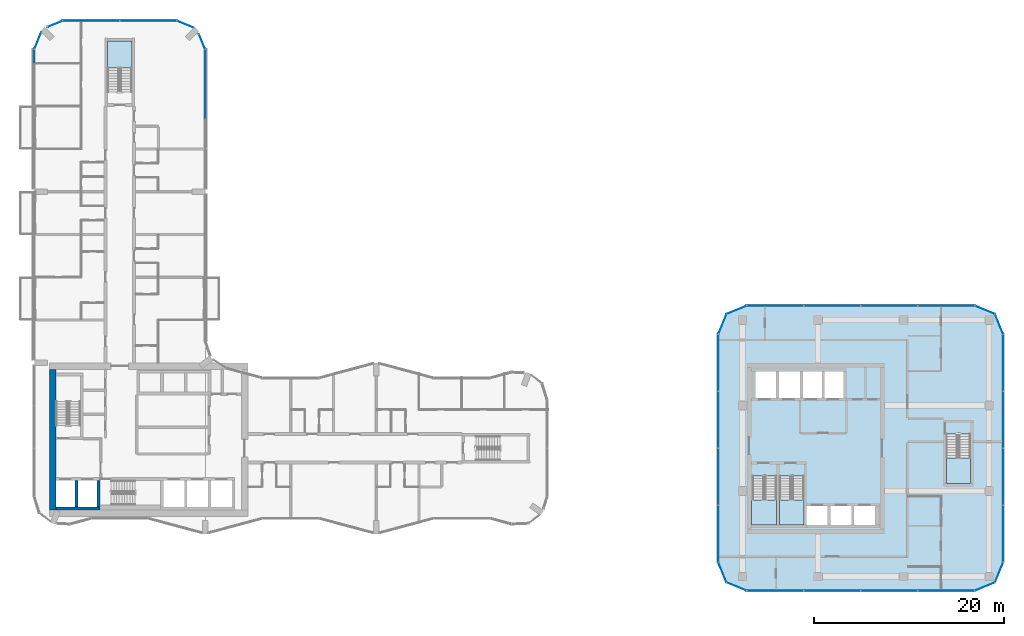
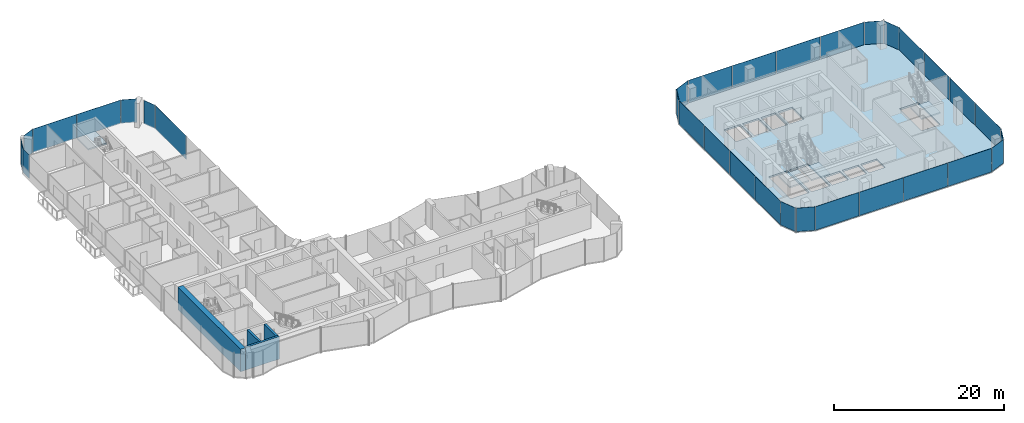
# One storey, part 12 of 22: 32 plates, 5 slabs, 4 walls, 23 elements without a shape of their own.
"""IFC4 building model written with IfcOpenShell, lengths in metres."""

from ifc_helpers import new_model, si_unit, direction, frame, frame_2d, origin, origin_2d, place, context, subcontext, project, spatial, polyline, rectangle, outline, extrude, material, layer, layer_set, type_object, element, aggregate, save


model = new_model("IFC4")

# Units and contexts
model_context = context("Model", 3, precision=1e-05, world=origin(), true_north=direction((0.0, 1.0)))
body_context = subcontext(model_context, "Body", "Model", "MODEL_VIEW")
ifc_project = project(units=[si_unit("LENGTHUNIT", "METRE"), si_unit("AREAUNIT", "SQUARE_METRE"), si_unit("VOLUMEUNIT", "CUBIC_METRE"), si_unit("PLANEANGLEUNIT", "RADIAN"), si_unit("MASSUNIT", "GRAM", prefix="KILO")], contexts=[model_context])

# Site, building, storey
site_placement = place(None, origin())
site = spatial("IfcSite", under=ifc_project, at=site_placement, CompositionType="ELEMENT")
building_placement = place(site_placement, origin())
building = spatial("IfcBuilding", under=site, at=building_placement, Name="Plateau Cross Towers", CompositionType="ELEMENT")
storey_placement = place(building_placement, frame((0.0, 0.0, 61.800048828125)))
storey = spatial("IfcBuildingStorey", under=building, at=storey_placement, Name="L15", CompositionType="ELEMENT", Elevation=61.800048828125)

# Curtain wall, plates
ifc_material_1 = material(Name="Dark low-iron glass", Category="glass")
ifc_layer_1 = layer(ifc_material_1, 0.239990234375)
ifc_layer_set_1 = layer_set([ifc_layer_1], Name="Dark low-iron glass")
curtain_wall_type_1 = type_object("IfcCurtainWallType", Name="Curtain wall office unitised CW-F", PredefinedType="NOTDEFINED", material=ifc_layer_set_1)
curtain_wall_1_placement = place(storey_placement, origin())
curtain_wall_1 = element("IfcCurtainWall", 1, at=curtain_wall_1_placement, inside=storey, type_object=curtain_wall_type_1, Name="ENV/B/L15/B750_-60", PredefinedType="NOTDEFINED")
ifc_layer_2 = layer(ifc_material_1, 0.028076171875)
ifc_layer_set_2 = layer_set([ifc_layer_2], Name="Dark low-iron glass")
plate_type_1 = type_object("IfcPlateType", Name="Glass panel 28 office unitised", PredefinedType="CURTAIN_PANEL", material=ifc_layer_set_2)
plate_1_placement = place(storey_placement, frame((78.0, -6.0, -0.1298828125), z_axis=(0.0, 0.0, 1.0), x_axis=(1.0, 0.0, 0.0)))
plate_1 = element("IfcPlate", 2, at=plate_1_placement, type_object=plate_type_1, Name="CW-F panel 1", PredefinedType="CURTAIN_PANEL", context=body_context, shape_type="SweptSolid", body=[
    extrude(rectangle(XDim=5.93994140625, YDim=0.028076171875, at=origin_2d()), origin(), (0.0, 0.0, 1.0), 3.3798828125),
])
plate_2_placement = place(storey_placement, frame((84.0, -6.0, -0.1298828125), z_axis=(0.0, 0.0, 1.0), x_axis=(1.0, 0.0, 0.0)))
plate_2 = element("IfcPlate", 3, at=plate_2_placement, type_object=plate_type_1, Name="CW-F panel 2", PredefinedType="CURTAIN_PANEL", context=body_context, shape_type="SweptSolid", body=[
    extrude(rectangle(XDim=5.93994140625, YDim=0.028076171875, at=origin_2d()), origin(), (0.0, 0.0, 1.0), 3.3798828125),
])
plate_3_placement = place(storey_placement, frame((90.0, -6.0, -0.1298828125), z_axis=(0.0, 0.0, 1.0), x_axis=(1.0, 0.0, 0.0)))
plate_3 = element("IfcPlate", 4, at=plate_3_placement, type_object=plate_type_1, Name="CW-F panel 3", PredefinedType="CURTAIN_PANEL", context=body_context, shape_type="SweptSolid", body=[
    extrude(rectangle(XDim=5.93994140625, YDim=0.028076171875, at=origin_2d()), origin(), (0.0, 0.0, 1.0), 3.3798828125),
])
plate_4_placement = place(storey_placement, frame((96.0, -6.0, -0.1298828125), z_axis=(0.0, 0.0, 1.0), x_axis=(1.0, 0.0, 0.0)))
plate_4 = element("IfcPlate", 5, at=plate_4_placement, type_object=plate_type_1, Name="CW-F panel 4", PredefinedType="CURTAIN_PANEL", context=body_context, shape_type="SweptSolid", body=[
    extrude(rectangle(XDim=5.93994140625, YDim=0.028076171875, at=origin_2d()), origin(), (0.0, 0.0, 1.0), 3.3798828125),
])
aggregate(curtain_wall_1, [plate_1, plate_2, plate_3, plate_4])

# Curtain wall, plate
curtain_wall_2_placement = place(storey_placement, origin())
curtain_wall_2 = element("IfcCurtainWall", 6, at=curtain_wall_2_placement, inside=storey, type_object=curtain_wall_type_1, Name="ENV/B/L15/B990_-60", PredefinedType="NOTDEFINED")
plate_5_placement = place(storey_placement, frame((100.060546875, -5.560546875, -0.1298828125), z_axis=(0.0, 0.0, 1.0), x_axis=(0.923879457699, 0.382683612978, 0.0)))
plate_5 = element("IfcPlate", 7, at=plate_5_placement, type_object=plate_type_1, Name="CW-F panel 1", PredefinedType="CURTAIN_PANEL", context=body_context, shape_type="SweptSolid", body=[
    extrude(rectangle(XDim=2.236083984375, YDim=0.028076171875, at=origin_2d()), origin(), (0.0, 0.0, 1.0), 3.3798828125),
])
aggregate(curtain_wall_2, [plate_5])

curtain_wall_3_placement = place(storey_placement, origin())
curtain_wall_3 = element("IfcCurtainWall", 8, at=curtain_wall_3_placement, inside=storey, type_object=curtain_wall_type_1, Name="ENV/B/L15/B1011_-51", PredefinedType="NOTDEFINED")
plate_6_placement = place(storey_placement, frame((101.560546875, -4.060546875, -0.1298828125), z_axis=(0.0, 0.0, 1.0), x_axis=(0.382683612978, 0.923879457699, 0.0)))
plate_6 = element("IfcPlate", 9, at=plate_6_placement, type_object=plate_type_1, Name="CW-F panel 1", PredefinedType="CURTAIN_PANEL", context=body_context, shape_type="SweptSolid", body=[
    extrude(rectangle(XDim=2.236083984375, YDim=0.028076171875, at=origin_2d()), origin(), (0.0, 0.0, 1.0), 3.3798828125),
])
aggregate(curtain_wall_3, [plate_6])

# Curtain wall, plates
curtain_wall_4_placement = place(storey_placement, origin())
curtain_wall_4 = element("IfcCurtainWall", 10, at=curtain_wall_4_placement, inside=storey, type_object=curtain_wall_type_1, Name="ENV/B/L15/B1020_-30", PredefinedType="NOTDEFINED")
plate_7_placement = place(storey_placement, frame((102.0, 0.0, -0.1298828125), z_axis=(0.0, 0.0, 1.0), x_axis=(0.0, 1.0, 0.0)))
plate_7 = element("IfcPlate", 11, at=plate_7_placement, type_object=plate_type_1, Name="CW-F panel 1", PredefinedType="CURTAIN_PANEL", context=body_context, shape_type="SweptSolid", body=[
    extrude(rectangle(XDim=5.93994140625, YDim=0.028076171875, at=origin_2d()), origin(), (0.0, 0.0, 1.0), 3.3798828125),
])
plate_8_placement = place(storey_placement, frame((102.0, 6.0, -0.1298828125), z_axis=(0.0, 0.0, 1.0), x_axis=(0.0, 1.0, 0.0)))
plate_8 = element("IfcPlate", 12, at=plate_8_placement, type_object=plate_type_1, Name="CW-F panel 2", PredefinedType="CURTAIN_PANEL", context=body_context, shape_type="SweptSolid", body=[
    extrude(rectangle(XDim=5.93994140625, YDim=0.028076171875, at=origin_2d()), origin(), (0.0, 0.0, 1.0), 3.3798828125),
])
plate_9_placement = place(storey_placement, frame((102.0, 12.0, -0.1298828125), z_axis=(0.0, 0.0, 1.0), x_axis=(0.0, 1.0, 0.0)))
plate_9 = element("IfcPlate", 13, at=plate_9_placement, type_object=plate_type_1, Name="CW-F panel 3", PredefinedType="CURTAIN_PANEL", context=body_context, shape_type="SweptSolid", body=[
    extrude(rectangle(XDim=5.93994140625, YDim=0.028076171875, at=origin_2d()), origin(), (0.0, 0.0, 1.0), 3.3798828125),
])
plate_10_placement = place(storey_placement, frame((102.0, 18.0, -0.1298828125), z_axis=(0.0, 0.0, 1.0), x_axis=(0.0, 1.0, 0.0)))
plate_10 = element("IfcPlate", 14, at=plate_10_placement, type_object=plate_type_1, Name="CW-F panel 4", PredefinedType="CURTAIN_PANEL", context=body_context, shape_type="SweptSolid", body=[
    extrude(rectangle(XDim=5.93994140625, YDim=0.028076171875, at=origin_2d()), origin(), (0.0, 0.0, 1.0), 3.3798828125),
])
aggregate(curtain_wall_4, [plate_7, plate_8, plate_9, plate_10])

# Curtain wall, plate
curtain_wall_5_placement = place(storey_placement, origin())
curtain_wall_5 = element("IfcCurtainWall", 15, at=curtain_wall_5_placement, inside=storey, type_object=curtain_wall_type_1, Name="ENV/B/L15/B1020_210", PredefinedType="NOTDEFINED")
plate_11_placement = place(storey_placement, frame((101.560546875, 22.060546875, -0.1298828125), z_axis=(0.0, 0.0, 1.0), x_axis=(-0.382683612978, 0.923879457699, 0.0)))
plate_11 = element("IfcPlate", 16, at=plate_11_placement, type_object=plate_type_1, Name="CW-F panel 1", PredefinedType="CURTAIN_PANEL", context=body_context, shape_type="SweptSolid", body=[
    extrude(rectangle(XDim=2.236083984375, YDim=0.028076171875, at=origin_2d()), origin(), (0.0, 0.0, 1.0), 3.3798828125),
])
aggregate(curtain_wall_5, [plate_11])

curtain_wall_6_placement = place(storey_placement, origin())
curtain_wall_6 = element("IfcCurtainWall", 17, at=curtain_wall_6_placement, inside=storey, type_object=curtain_wall_type_1, Name="ENV/B/L15/B1011_231", PredefinedType="NOTDEFINED")
plate_12_placement = place(storey_placement, frame((100.060546875, 23.560546875, -0.1298828125), z_axis=(0.0, 0.0, 1.0), x_axis=(-0.923879457699, 0.382683612978, 0.0)))
plate_12 = element("IfcPlate", 18, at=plate_12_placement, type_object=plate_type_1, Name="CW-F panel 1", PredefinedType="CURTAIN_PANEL", context=body_context, shape_type="SweptSolid", body=[
    extrude(rectangle(XDim=2.236083984375, YDim=0.028076171875, at=origin_2d()), origin(), (0.0, 0.0, 1.0), 3.3798828125),
])
aggregate(curtain_wall_6, [plate_12])

# Curtain wall, plates
curtain_wall_7_placement = place(storey_placement, origin())
curtain_wall_7 = element("IfcCurtainWall", 19, at=curtain_wall_7_placement, inside=storey, type_object=curtain_wall_type_1, Name="ENV/B/L15/B990_240", PredefinedType="NOTDEFINED")
plate_13_placement = place(storey_placement, frame((96.0, 24.0, -0.1298828125), z_axis=(0.0, 0.0, 1.0), x_axis=(-1.0, 0.0, 0.0)))
plate_13 = element("IfcPlate", 20, at=plate_13_placement, type_object=plate_type_1, Name="CW-F panel 1", PredefinedType="CURTAIN_PANEL", context=body_context, shape_type="SweptSolid", body=[
    extrude(rectangle(XDim=5.93994140625, YDim=0.028076171875, at=origin_2d()), origin(), (0.0, 0.0, 1.0), 3.3798828125),
])
plate_14_placement = place(storey_placement, frame((90.0, 24.0, -0.1298828125), z_axis=(0.0, 0.0, 1.0), x_axis=(-1.0, 0.0, 0.0)))
plate_14 = element("IfcPlate", 21, at=plate_14_placement, type_object=plate_type_1, Name="CW-F panel 2", PredefinedType="CURTAIN_PANEL", context=body_context, shape_type="SweptSolid", body=[
    extrude(rectangle(XDim=5.93994140625, YDim=0.028076171875, at=origin_2d()), origin(), (0.0, 0.0, 1.0), 3.3798828125),
])
plate_15_placement = place(storey_placement, frame((84.0, 24.0, -0.1298828125), z_axis=(0.0, 0.0, 1.0), x_axis=(-1.0, 0.0, 0.0)))
plate_15 = element("IfcPlate", 22, at=plate_15_placement, type_object=plate_type_1, Name="CW-F panel 3", PredefinedType="CURTAIN_PANEL", context=body_context, shape_type="SweptSolid", body=[
    extrude(rectangle(XDim=5.93994140625, YDim=0.028076171875, at=origin_2d()), origin(), (0.0, 0.0, 1.0), 3.3798828125),
])
plate_16_placement = place(storey_placement, frame((78.0, 24.0, -0.1298828125), z_axis=(0.0, 0.0, 1.0), x_axis=(-1.0, 0.0, 0.0)))
plate_16 = element("IfcPlate", 23, at=plate_16_placement, type_object=plate_type_1, Name="CW-F panel 4", PredefinedType="CURTAIN_PANEL", context=body_context, shape_type="SweptSolid", body=[
    extrude(rectangle(XDim=5.93994140625, YDim=0.028076171875, at=origin_2d()), origin(), (0.0, 0.0, 1.0), 3.3798828125),
])
aggregate(curtain_wall_7, [plate_13, plate_14, plate_15, plate_16])

# Curtain wall, plate
curtain_wall_8_placement = place(storey_placement, origin())
curtain_wall_8 = element("IfcCurtainWall", 24, at=curtain_wall_8_placement, inside=storey, type_object=curtain_wall_type_1, Name="ENV/B/L15/B750_240", PredefinedType="NOTDEFINED")
plate_17_placement = place(storey_placement, frame((73.939453125, 23.560546875, -0.1298828125), z_axis=(0.0, 0.0, 1.0), x_axis=(-0.923879457699, -0.382683612978, 0.0)))
plate_17 = element("IfcPlate", 25, at=plate_17_placement, type_object=plate_type_1, Name="CW-F panel 1", PredefinedType="CURTAIN_PANEL", context=body_context, shape_type="SweptSolid", body=[
    extrude(rectangle(XDim=2.236083984375, YDim=0.028076171875, at=origin_2d()), origin(), (0.0, 0.0, 1.0), 3.3798828125),
])
aggregate(curtain_wall_8, [plate_17])

curtain_wall_9_placement = place(storey_placement, origin())
curtain_wall_9 = element("IfcCurtainWall", 26, at=curtain_wall_9_placement, inside=storey, type_object=curtain_wall_type_1, Name="ENV/B/L15/B729_231", PredefinedType="NOTDEFINED")
plate_18_placement = place(storey_placement, frame((72.439453125, 22.060546875, -0.1298828125), z_axis=(0.0, 0.0, 1.0), x_axis=(-0.382683612978, -0.923879457699, 0.0)))
plate_18 = element("IfcPlate", 27, at=plate_18_placement, type_object=plate_type_1, Name="CW-F panel 1", PredefinedType="CURTAIN_PANEL", context=body_context, shape_type="SweptSolid", body=[
    extrude(rectangle(XDim=2.236083984375, YDim=0.028076171875, at=origin_2d()), origin(), (0.0, 0.0, 1.0), 3.3798828125),
])
aggregate(curtain_wall_9, [plate_18])

# Curtain wall, plates
curtain_wall_10_placement = place(storey_placement, origin())
curtain_wall_10 = element("IfcCurtainWall", 28, at=curtain_wall_10_placement, inside=storey, type_object=curtain_wall_type_1, Name="ENV/B/L15/B720_210", PredefinedType="NOTDEFINED")
plate_19_placement = place(storey_placement, frame((72.0, 18.0, -0.1298828125), z_axis=(0.0, 0.0, 1.0), x_axis=(0.0, -1.0, 0.0)))
plate_19 = element("IfcPlate", 29, at=plate_19_placement, type_object=plate_type_1, Name="CW-F panel 1", PredefinedType="CURTAIN_PANEL", context=body_context, shape_type="SweptSolid", body=[
    extrude(rectangle(XDim=5.93994140625, YDim=0.028076171875, at=origin_2d()), origin(), (0.0, 0.0, 1.0), 3.3798828125),
])
plate_20_placement = place(storey_placement, frame((72.0, 12.0, -0.1298828125), z_axis=(0.0, 0.0, 1.0), x_axis=(0.0, -1.0, 0.0)))
plate_20 = element("IfcPlate", 30, at=plate_20_placement, type_object=plate_type_1, Name="CW-F panel 2", PredefinedType="CURTAIN_PANEL", context=body_context, shape_type="SweptSolid", body=[
    extrude(rectangle(XDim=5.93994140625, YDim=0.028076171875, at=origin_2d()), origin(), (0.0, 0.0, 1.0), 3.3798828125),
])
plate_21_placement = place(storey_placement, frame((72.0, 6.0, -0.1298828125), z_axis=(0.0, 0.0, 1.0), x_axis=(0.0, -1.0, 0.0)))
plate_21 = element("IfcPlate", 31, at=plate_21_placement, type_object=plate_type_1, Name="CW-F panel 3", PredefinedType="CURTAIN_PANEL", context=body_context, shape_type="SweptSolid", body=[
    extrude(rectangle(XDim=5.93994140625, YDim=0.028076171875, at=origin_2d()), origin(), (0.0, 0.0, 1.0), 3.3798828125),
])
plate_22_placement = place(storey_placement, frame((72.0, 0.0, -0.1298828125), z_axis=(0.0, 0.0, 1.0), x_axis=(0.0, -1.0, 0.0)))
plate_22 = element("IfcPlate", 32, at=plate_22_placement, type_object=plate_type_1, Name="CW-F panel 4", PredefinedType="CURTAIN_PANEL", context=body_context, shape_type="SweptSolid", body=[
    extrude(rectangle(XDim=5.93994140625, YDim=0.028076171875, at=origin_2d()), origin(), (0.0, 0.0, 1.0), 3.3798828125),
])
aggregate(curtain_wall_10, [plate_19, plate_20, plate_21, plate_22])

# Curtain wall, plate
curtain_wall_11_placement = place(storey_placement, origin())
curtain_wall_11 = element("IfcCurtainWall", 33, at=curtain_wall_11_placement, inside=storey, type_object=curtain_wall_type_1, Name="ENV/B/L15/B720_-30", PredefinedType="NOTDEFINED")
plate_23_placement = place(storey_placement, frame((72.439453125, -4.060546875, -0.1298828125), z_axis=(0.0, 0.0, 1.0), x_axis=(0.382683612978, -0.923879457699, 0.0)))
plate_23 = element("IfcPlate", 34, at=plate_23_placement, type_object=plate_type_1, Name="CW-F panel 1", PredefinedType="CURTAIN_PANEL", context=body_context, shape_type="SweptSolid", body=[
    extrude(rectangle(XDim=2.236083984375, YDim=0.028076171875, at=origin_2d()), origin(), (0.0, 0.0, 1.0), 3.3798828125),
])
aggregate(curtain_wall_11, [plate_23])

curtain_wall_12_placement = place(storey_placement, origin())
curtain_wall_12 = element("IfcCurtainWall", 35, at=curtain_wall_12_placement, inside=storey, type_object=curtain_wall_type_1, Name="ENV/B/L15/B729_-51", PredefinedType="NOTDEFINED")
plate_24_placement = place(storey_placement, frame((73.939453125, -5.560546875, -0.1298828125), z_axis=(0.0, 0.0, 1.0), x_axis=(0.923879457699, -0.382683612978, 0.0)))
plate_24 = element("IfcPlate", 36, at=plate_24_placement, type_object=plate_type_1, Name="CW-F panel 1", PredefinedType="CURTAIN_PANEL", context=body_context, shape_type="SweptSolid", body=[
    extrude(rectangle(XDim=2.236083984375, YDim=0.028076171875, at=origin_2d()), origin(), (0.0, 0.0, 1.0), 3.3798828125),
])
aggregate(curtain_wall_12, [plate_24])

ifc_layer_3 = layer(ifc_material_1, 0.239990234375)
ifc_layer_set_3 = layer_set([ifc_layer_3], Name="Dark low-iron glass")
curtain_wall_type_2 = type_object("IfcCurtainWallType", Name="Curtain wall flush unitised CW-B", PredefinedType="NOTDEFINED", material=ifc_layer_set_3)
curtain_wall_13_placement = place(storey_placement, origin())
curtain_wall_13 = element("IfcCurtainWall", 37, at=curtain_wall_13_placement, inside=storey, type_object=curtain_wall_type_2, Name="ENV/A/L15/A180_363", PredefinedType="NOTDEFINED")
ifc_layer_4 = layer(ifc_material_1, 0.031982421875)
ifc_layer_set_4 = layer_set([ifc_layer_4], Name="Dark low-iron glass")
plate_type_2 = type_object("IfcPlateType", Name="Glass panel 32 flush unitised", PredefinedType="CURTAIN_PANEL", material=ifc_layer_set_4)
plate_25_placement = place(storey_placement, frame((18.0, 47.324951171875, -0.1298828125), z_axis=(0.0, 0.0, 1.0), x_axis=(0.0, 1.0, 0.0)))
plate_25 = element("IfcPlate", 38, at=plate_25_placement, type_object=plate_type_2, Name="CW-B panel 2", PredefinedType="CURTAIN_PANEL", context=body_context, shape_type="SweptSolid", body=[
    extrude(rectangle(XDim=7.2900390625, YDim=0.031982421875, at=origin_2d()), origin(), (0.0, 0.0, 1.0), 3.3798828125),
])
aggregate(curtain_wall_13, [plate_25])

curtain_wall_14_placement = place(storey_placement, origin())
curtain_wall_14 = element("IfcCurtainWall", 39, at=curtain_wall_14_placement, inside=storey, type_object=curtain_wall_type_2, Name="ENV/A/L15/A180_510", PredefinedType="NOTDEFINED")
plate_26_placement = place(storey_placement, frame((17.66943359375, 51.79833984375, -0.1298828125), z_axis=(0.0, 0.0, 1.0), x_axis=(-0.382683612978, 0.923879457699, 0.0)))
plate_26 = element("IfcPlate", 40, at=plate_26_placement, type_object=plate_type_2, Name="CW-B panel 1", PredefinedType="CURTAIN_PANEL", context=body_context, shape_type="SweptSolid", body=[
    extrude(rectangle(XDim=1.668212890625, YDim=0.031982421875, at=origin_2d()), origin(), (0.0, 0.0, 1.0), 3.3798828125),
])
aggregate(curtain_wall_14, [plate_26])

curtain_wall_15_placement = place(storey_placement, origin())
curtain_wall_15 = element("IfcCurtainWall", 41, at=curtain_wall_15_placement, inside=storey, type_object=curtain_wall_type_2, Name="ENV/A/L15/A168_533", PredefinedType="NOTDEFINED")
plate_27_placement = place(storey_placement, frame((15.90283203125, 53.6259765625, -0.1298828125), z_axis=(0.0, 0.0, 1.0), x_axis=(-0.923879457699, 0.382683612978, 0.0)))
plate_27 = element("IfcPlate", 42, at=plate_27_placement, type_object=plate_type_2, Name="CW-B panel 1", PredefinedType="CURTAIN_PANEL", context=body_context, shape_type="SweptSolid", body=[
    extrude(rectangle(XDim=1.894775390625, YDim=0.031982421875, at=origin_2d()), origin(), (0.0, 0.0, 1.0), 3.3798828125),
])
aggregate(curtain_wall_15, [plate_27])

# Curtain wall, plates
curtain_wall_16_placement = place(storey_placement, origin())
curtain_wall_16 = element("IfcCurtainWall", 43, at=curtain_wall_16_placement, inside=storey, type_object=curtain_wall_type_2, Name="ENV/A/L15/A150_540", PredefinedType="NOTDEFINED")
plate_28_placement = place(storey_placement, frame((12.0, 54.0, -0.1298828125), z_axis=(0.0, 0.0, 1.0), x_axis=(-1.0, 0.0, 0.0)))
plate_28 = element("IfcPlate", 44, at=plate_28_placement, type_object=plate_type_2, Name="CW-B panel 1", PredefinedType="CURTAIN_PANEL", context=body_context, shape_type="SweptSolid", body=[
    extrude(rectangle(XDim=5.93994140625, YDim=0.031982421875, at=origin_2d()), origin(), (0.0, 0.0, 1.0), 3.3798828125),
])
plate_29_placement = place(storey_placement, frame((6.0, 54.0, -0.1298828125), z_axis=(0.0, 0.0, 1.0), x_axis=(-1.0, 0.0, 0.0)))
plate_29 = element("IfcPlate", 45, at=plate_29_placement, type_object=plate_type_2, Name="CW-B panel 2", PredefinedType="CURTAIN_PANEL", context=body_context, shape_type="SweptSolid", body=[
    extrude(rectangle(XDim=5.93994140625, YDim=0.031982421875, at=origin_2d()), origin(), (0.0, 0.0, 1.0), 3.3798828125),
])
aggregate(curtain_wall_16, [plate_28, plate_29])

# Curtain wall, plate
curtain_wall_17_placement = place(storey_placement, origin())
curtain_wall_17 = element("IfcCurtainWall", 46, at=curtain_wall_17_placement, inside=storey, type_object=curtain_wall_type_2, Name="ENV/A/L15/A30_540", PredefinedType="NOTDEFINED")
plate_30_placement = place(storey_placement, frame((2.20166015625, 53.66943359375, -0.1298828125), z_axis=(0.0, 0.0, 1.0), x_axis=(-0.923879457699, -0.382683612978, 0.0)))
plate_30 = element("IfcPlate", 47, at=plate_30_placement, type_object=plate_type_2, Name="CW-B panel 1", PredefinedType="CURTAIN_PANEL", context=body_context, shape_type="SweptSolid", body=[
    extrude(rectangle(XDim=1.668212890625, YDim=0.031982421875, at=origin_2d()), origin(), (0.0, 0.0, 1.0), 3.3798828125),
])
aggregate(curtain_wall_17, [plate_30])

curtain_wall_18_placement = place(storey_placement, origin())
curtain_wall_18 = element("IfcCurtainWall", 48, at=curtain_wall_18_placement, inside=storey, type_object=curtain_wall_type_2, Name="ENV/A/L15/A7_528", PredefinedType="NOTDEFINED")
plate_31_placement = place(storey_placement, frame((0.3740234375, 51.90283203125, -0.1298828125), z_axis=(0.0, 0.0, 1.0), x_axis=(-0.382683612978, -0.923879457699, 0.0)))
plate_31 = element("IfcPlate", 49, at=plate_31_placement, type_object=plate_type_2, Name="CW-B panel 1", PredefinedType="CURTAIN_PANEL", context=body_context, shape_type="SweptSolid", body=[
    extrude(rectangle(XDim=1.894775390625, YDim=0.031982421875, at=origin_2d()), origin(), (0.0, 0.0, 1.0), 3.3798828125),
])
aggregate(curtain_wall_18, [plate_31])

curtain_wall_19_placement = place(storey_placement, origin())
curtain_wall_19 = element("IfcCurtainWall", 50, at=curtain_wall_19_placement, inside=storey, type_object=curtain_wall_type_2, Name="ENV/A/L15/A0_510", PredefinedType="NOTDEFINED")
plate_32_placement = place(storey_placement, frame((0.0, 50.25, -0.1298828125), z_axis=(0.0, 0.0, 1.0), x_axis=(0.0, -1.0, 0.0)))
plate_32 = element("IfcPlate", 51, at=plate_32_placement, type_object=plate_type_2, Name="CW-B panel 1", PredefinedType="CURTAIN_PANEL", context=body_context, shape_type="SweptSolid", body=[
    extrude(rectangle(XDim=1.43994140625, YDim=0.031982421875, at=origin_2d()), origin(), (0.0, 0.0, 1.0), 3.3798828125),
])
aggregate(curtain_wall_19, [plate_32])

# Slab
ifc_material_2 = material(Name="Concrete C40/50", Category="concrete")
ifc_layer_5 = layer(ifc_material_2, 0.25)
ifc_layer_set_5 = layer_set([ifc_layer_5], Name="Concrete C40/50")
slab_type_1 = type_object("IfcSlabType", Name="Post-tensioned flat plate slab 250", PredefinedType="FLOOR", material=ifc_layer_set_5)
slab_1_placement = place(storey_placement, frame((0.0, 0.0, -0.25)))
element("IfcSlab", 52, at=slab_1_placement, inside=storey, type_object=slab_type_1, Name="SL-B-L15", PredefinedType="FLOOR", context=body_context, shape_type="SweptSolid", body=[
    extrude(outline(polyline([(72.878662109375, -5.121337890625), (72.0, -3.0), (72.0, 21.0), (72.878662109375, 23.121337890625), (75.0, 24.0), (99.0, 24.0), (101.121337890625, 23.121337890625), (102.0, 21.0), (102.0, -3.0), (101.121337890625, -5.121337890625), (99.0, -6.0), (75.0, -6.0), (72.878662109375, -5.121337890625)]), holes=[polyline([(75.60009765625, 0.89990234375), (78.14990234375, 0.89990234375), (78.14990234375, 6.10009765625), (75.60009765625, 6.10009765625), (75.60009765625, 0.89990234375)]), polyline([(78.10009765625, 14.300048828125), (78.10009765625, 17.10009765625), (75.89990234375, 17.10009765625), (75.89990234375, 14.300048828125), (78.10009765625, 14.300048828125)]), polyline([(83.5, 0.89990234375), (83.5, 2.89990234375), (81.300048828125, 2.89990234375), (81.300048828125, 0.89990234375), (83.5, 0.89990234375)]), polyline([(86.0, 0.89990234375), (86.0, 2.89990234375), (83.800048828125, 2.89990234375), (83.800048828125, 0.89990234375), (86.0, 0.89990234375)]), polyline([(88.5, 0.89990234375), (88.5, 2.89990234375), (86.300048828125, 2.89990234375), (86.300048828125, 0.89990234375), (88.5, 0.89990234375)]), polyline([(78.449951171875, 0.89990234375), (81.0, 0.89990234375), (81.0, 6.10009765625), (78.449951171875, 6.10009765625), (78.449951171875, 0.89990234375)]), polyline([(96.0, 5.300048828125), (98.550048828125, 5.300048828125), (98.550048828125, 10.5), (96.0, 10.5), (96.0, 5.300048828125)]), polyline([(80.60009765625, 14.300048828125), (80.60009765625, 17.10009765625), (78.39990234375, 17.10009765625), (78.39990234375, 14.300048828125), (80.60009765625, 14.300048828125)]), polyline([(80.89990234375, 14.300048828125), (82.89990234375, 14.300048828125), (82.89990234375, 17.10009765625), (80.89990234375, 17.10009765625), (80.89990234375, 14.300048828125)]), polyline([(83.199951171875, 14.300048828125), (85.199951171875, 14.300048828125), (85.199951171875, 17.10009765625), (83.199951171875, 17.10009765625), (83.199951171875, 14.300048828125)])]), origin(), (0.0, 0.0, 1.0), 0.25),
])

# Stair, slab
stair_type = type_object("IfcStairType", Name="ST-TWR", PredefinedType="HALF_TURN_STAIR", material=ifc_material_2)
stair_1_placement = place(storey_placement, origin())
stair_1 = element("IfcStair", 53, at=stair_1_placement, inside=storey, type_object=stair_type, Name="L15 Protected Exit Stair SB-1", PredefinedType="HALF_TURN_STAIR")
ifc_layer_6 = layer(ifc_material_2, 0.199951171875)
ifc_layer_set_6 = layer_set([ifc_layer_6], Name="Concrete C40/50")
slab_type_2 = type_object("IfcSlabType", Name="SL-LANDING", PredefinedType="LANDING", material=ifc_layer_set_6)
slab_2_placement = place(storey_placement, frame((0.0, 0.0, 1.550048828125)))
slab_2 = element("IfcSlab", 54, at=slab_2_placement, type_object=slab_type_2, Name="SB-1 landing 1", PredefinedType="LANDING", context=body_context, shape_type="SweptSolid", body=[
    extrude(outline(polyline([(75.5, 3.580078125), (75.5, 0.89990234375), (78.14990234375, 0.89990234375), (78.14990234375, 3.580078125), (75.5, 3.580078125)])), origin(), (0.0, 0.0, 1.0), 0.199951171875),
])
aggregate(stair_1, [slab_2])

stair_2_placement = place(storey_placement, origin())
stair_2 = element("IfcStair", 55, at=stair_2_placement, inside=storey, type_object=stair_type, Name="L15 Protected Exit Stair SB-2", PredefinedType="HALF_TURN_STAIR")
slab_3_placement = place(storey_placement, frame((0.0, 0.0, 1.550048828125)))
slab_3 = element("IfcSlab", 56, at=slab_3_placement, type_object=slab_type_2, Name="SB-2 landing 1", PredefinedType="LANDING", context=body_context, shape_type="SweptSolid", body=[
    extrude(outline(polyline([(78.449951171875, 3.580078125), (78.449951171875, 0.89990234375), (81.0, 0.89990234375), (81.0, 3.580078125), (78.449951171875, 3.580078125)])), origin(), (0.0, 0.0, 1.0), 0.199951171875),
])
aggregate(stair_2, [slab_3])

stair_3_placement = place(storey_placement, origin())
stair_3 = element("IfcStair", 57, at=stair_3_placement, inside=storey, type_object=stair_type, Name="L15 Protected Exit Stair SB-3", PredefinedType="HALF_TURN_STAIR")
slab_4_placement = place(storey_placement, frame((0.0, 0.0, 1.550048828125)))
slab_4 = element("IfcSlab", 58, at=slab_4_placement, type_object=slab_type_2, Name="SB-3 landing 1", PredefinedType="LANDING", context=body_context, shape_type="SweptSolid", body=[
    extrude(outline(polyline([(96.0, 7.97998046875), (96.0, 5.300048828125), (98.550048828125, 5.300048828125), (98.550048828125, 7.97998046875), (96.0, 7.97998046875)])), origin(), (0.0, 0.0, 1.0), 0.199951171875),
])
aggregate(stair_3, [slab_4])

stair_4_placement = place(storey_placement, origin())
stair_4 = element("IfcStair", 59, at=stair_4_placement, inside=storey, type_object=stair_type, Name="L15 Protected Exit Stair N", PredefinedType="HALF_TURN_STAIR")
slab_5_placement = place(storey_placement, frame((0.0, 0.0, 1.550048828125)))
slab_5 = element("IfcSlab", 60, at=slab_5_placement, type_object=slab_type_2, Name="ES-N landing 1", PredefinedType="LANDING", context=body_context, shape_type="SweptSolid", body=[
    extrude(outline(polyline([(10.27490234375, 49.02001953125), (10.27490234375, 51.85009765625), (7.72509765625, 51.85009765625), (7.72509765625, 49.02001953125), (10.27490234375, 49.02001953125)])), origin(), (0.0, 0.0, 1.0), 0.199951171875),
])
aggregate(stair_4, [slab_5])

# Walls
ifc_material_3 = material(Name="Concrete C60/75", Category="concrete")
ifc_layer_7 = layer(ifc_material_3, 0.300048828125)
ifc_layer_set_7 = layer_set([ifc_layer_7], Name="Concrete C60/75")
wall_type_1 = type_object("IfcWallType", Name="Core shaft wall 300", PredefinedType="SHEAR", material=ifc_layer_set_7)
wall_1_placement = place(storey_placement, frame((2.300048828125, 2.64990234375, 0.0), z_axis=(0.0, 0.0, 1.0), x_axis=(1.0, 0.0, 0.0)))
element("IfcWall", 61, at=wall_1_placement, inside=storey, type_object=wall_type_1, Name="A-sb-back1@L15", PredefinedType="SHEAR", context=body_context, shape_type="SweptSolid", body=[
    extrude(rectangle(XDim=4.599853515625, YDim=0.300048828125, at=frame_2d((2.2998046875, 0.0))), origin(), (0.0, 0.0, 1.0), 3.25),
])
for number, where, z_axis, x_axis, name in (
    (62, (4.449951171875, 2.800048828125, 0.0), (0.0, 0.0, 1.0), (0.0, 1.0, 0.0), "A-sb-v1@L15"),
    (63, (6.75, 2.800048828125, 0.0), (0.0, 0.0, 1.0), (0.0, 1.0, 0.0), "A-sb-v2@L15"),
):
    element("IfcWall", number, at=place(storey_placement, frame(where, z_axis=z_axis, x_axis=x_axis)), inside=storey, type_object=wall_type_1, Name=name, PredefinedType="SHEAR", context=body_context, shape_type="SweptSolid", body=[
        extrude(rectangle(XDim=2.800048828125, YDim=0.300048828125, at=frame_2d((1.39990234375, 0.0))), origin(), (0.0, 0.0, 1.0), 3.25),
    ])
ifc_layer_8 = layer(ifc_material_3, 0.699951171875)
ifc_layer_set_8 = layer_set([ifc_layer_8], Name="Concrete C60/75")
wall_type_2 = type_object("IfcWallType", Name="Core shell wall 700", PredefinedType="SHEAR", material=ifc_layer_set_8)
wall_2_placement = place(storey_placement, frame((1.949951171875, 2.5, 0.0), z_axis=(0.0, 0.0, 1.0), x_axis=(0.0, 1.0, 0.0)))
element("IfcWall", 64, at=wall_2_placement, inside=storey, type_object=wall_type_2, Name="A-core-W@L15", PredefinedType="SHEAR", context=body_context, shape_type="SweptSolid", body=[
    extrude(rectangle(XDim=14.800048828125, YDim=0.699951171875, at=frame_2d((7.39990234375, 0.0))), origin(), (0.0, 0.0, 1.0), 3.25),
])

save(model, "model.ifc")
